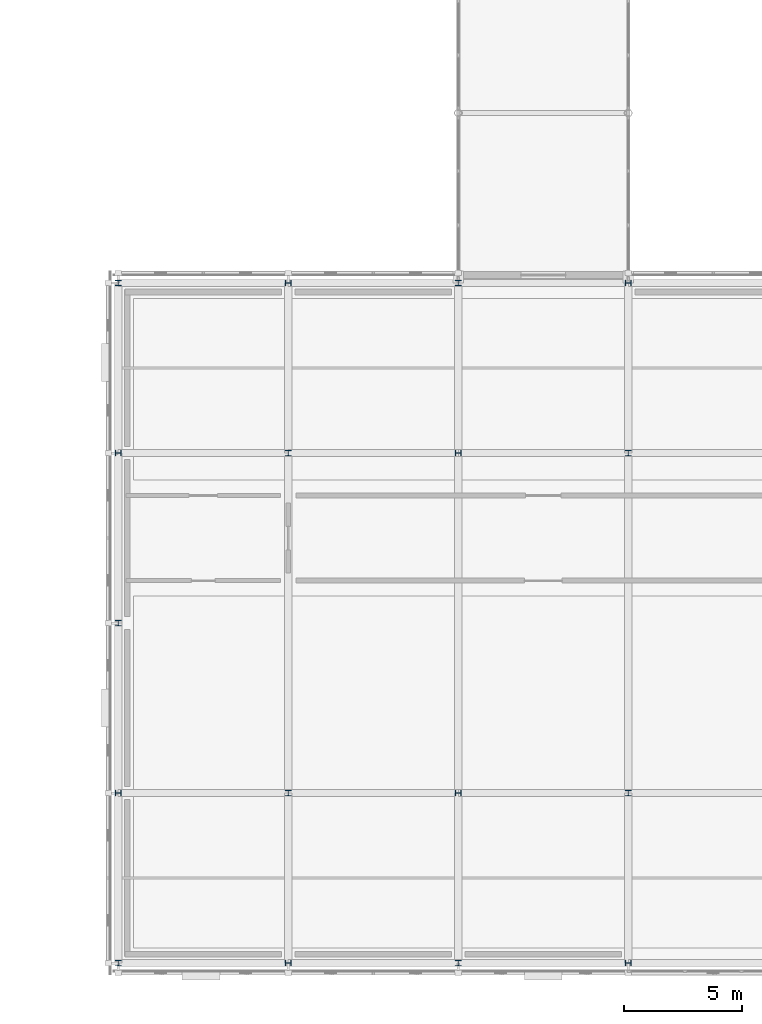
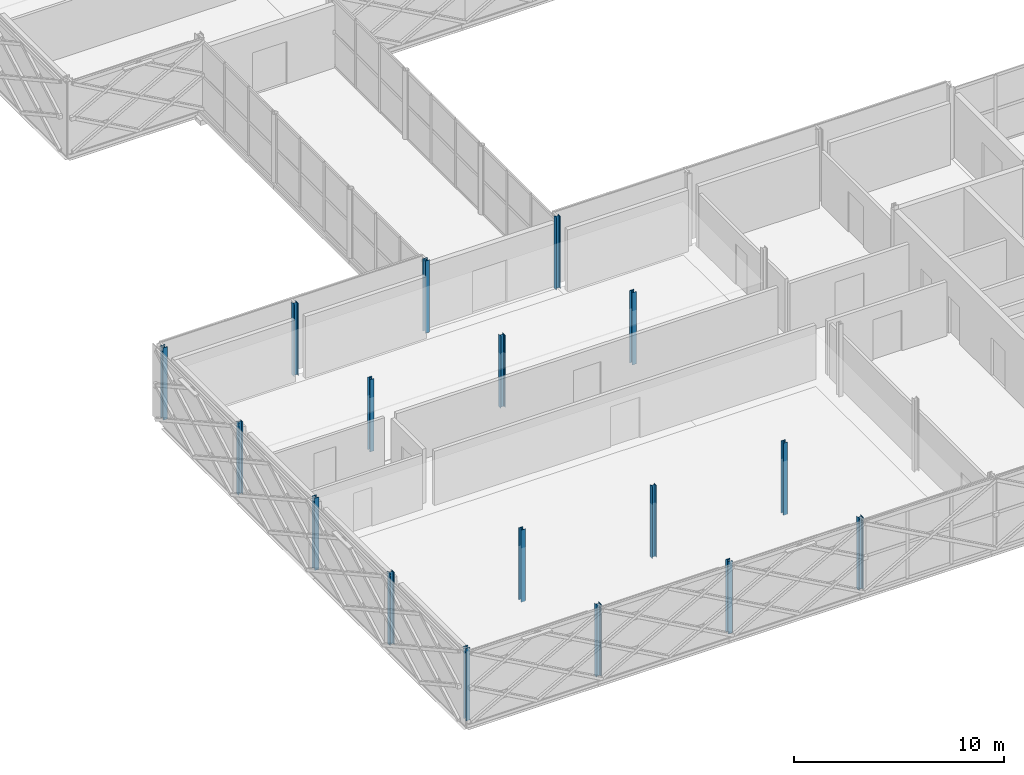
# One storey, part 1 of 126: 17 columns.
"""IFC4 building model written with IfcOpenShell, lengths in metres."""

from ifc_helpers import new_model, si_unit, direction, frame, origin, origin_2d, place, context, subcontext, project, spatial, i_section, extrude, material, material_profile, profile_set, type_object, element, save


model = new_model("IFC4")

# Units and contexts
model_context = context("Model", 3, precision=1e-05, world=origin(), true_north=direction((0.0, 1.0)))
body_context = subcontext(model_context, "Body", "Model", "MODEL_VIEW")
ifc_project = project(units=[si_unit("LENGTHUNIT", "METRE"), si_unit("AREAUNIT", "SQUARE_METRE"), si_unit("VOLUMEUNIT", "CUBIC_METRE"), si_unit("PLANEANGLEUNIT", "RADIAN"), si_unit("MASSUNIT", "GRAM", prefix="KILO")], contexts=[model_context])

# Site, building, storey
site_placement = place(None, origin())
site = spatial("IfcSite", under=ifc_project, at=site_placement, CompositionType="ELEMENT")
building_placement = place(site_placement, origin())
building = spatial("IfcBuilding", under=site, at=building_placement, Name="Zlatovets Crest Museum", CompositionType="ELEMENT")
storey_placement = place(building_placement, frame((0.0, 0.0, 8.699951171875)))
storey = spatial("IfcBuildingStorey", under=building, at=storey_placement, Name="L02", CompositionType="ELEMENT", Elevation=8.699951171875)

# Columns
ifc_material = material(Name="Structural steel S355J2", Category="steel")
ifc_material_profile = material_profile(ifc_material, i_section(OverallWidth=0.239990234375, OverallDepth=0.239990234375, WebThickness=0.010009765625, FlangeThickness=0.01708984375, FilletRadius=0.02099609375, at=origin_2d()), Name="HEB 240")
ifc_profile_set = profile_set([ifc_material_profile], Name="Structural steel S355J2")
column_type = type_object("IfcColumnType", Name="Col_C-18", PredefinedType="COLUMN", material=ifc_profile_set)
for number, where, z_axis, x_axis, name in (
    (1, (0.0, 0.0, 0.0), (0.0, 0.0, 1.0), (1.0, 0.0, 0.0), "V3 L02 Column (0.0, 0.0)"),
    (2, (0.0, 7.199951171875, 0.0), (0.0, 0.0, 1.0), (0.0, 1.0, 0.0), "V3 L02 Column (0.0, 7.2)"),
    (3, (0.0, 14.39990234375, 0.0), (0.0, 0.0, 1.0), (1.0, 0.0, 0.0), "V3 L02 Column (0.0, 14.4)"),
    (4, (0.0, 21.60009765625, 0.0), (0.0, 0.0, 1.0), (0.0, 1.0, 0.0), "V3 L02 Column (0.0, 21.6)"),
    (5, (0.0, 28.800048828125, 0.0), (0.0, 0.0, 1.0), (1.0, 0.0, 0.0), "V3 L02 Column (0.0, 28.8)"),
    (6, (7.199951171875, 0.0, 0.0), (0.0, 0.0, 1.0), (0.0, 1.0, 0.0), "V3 L02 Column (7.2, 0.0)"),
    (7, (7.199951171875, 7.199951171875, 0.0), (0.0, 0.0, 1.0), (1.0, 0.0, 0.0), "V3 L02 Column (7.2, 7.2)"),
    (8, (7.199951171875, 21.60009765625, 0.0), (0.0, 0.0, 1.0), (1.0, 0.0, 0.0), "V3 L02 Column (7.2, 21.6)"),
    (9, (7.199951171875, 28.800048828125, 0.0), (0.0, 0.0, 1.0), (0.0, 1.0, 0.0), "V3 L02 Column (7.2, 28.8)"),
    (10, (14.39990234375, 0.0, 0.0), (0.0, 0.0, 1.0), (1.0, 0.0, 0.0), "V3 L02 Column (14.4, 0.0)"),
    (11, (14.39990234375, 7.199951171875, 0.0), (0.0, 0.0, 1.0), (0.0, 1.0, 0.0), "V3 L02 Column (14.4, 7.2)"),
    (12, (14.39990234375, 21.60009765625, 0.0), (0.0, 0.0, 1.0), (0.0, 1.0, 0.0), "V3 L02 Column (14.4, 21.6)"),
    (13, (14.39990234375, 28.800048828125, 0.0), (0.0, 0.0, 1.0), (1.0, 0.0, 0.0), "V3 L02 Column (14.4, 28.8)"),
    (14, (21.60009765625, 0.0, 0.0), (0.0, 0.0, 1.0), (0.0, 1.0, 0.0), "V3 L02 Column (21.6, 0.0)"),
    (15, (21.60009765625, 7.199951171875, 0.0), (0.0, 0.0, 1.0), (1.0, 0.0, 0.0), "V3 L02 Column (21.6, 7.2)"),
    (16, (21.60009765625, 21.60009765625, 0.0), (0.0, 0.0, 1.0), (1.0, 0.0, 0.0), "V3 L02 Column (21.6, 21.6)"),
    (17, (21.60009765625, 28.800048828125, 0.0), (0.0, 0.0, 1.0), (0.0, 1.0, 0.0), "V3 L02 Column (21.6, 28.8)"),
):
    element("IfcColumn", number, at=place(storey_placement, frame(where, z_axis=z_axis, x_axis=x_axis)), inside=storey, type_object=column_type, Name=name, PredefinedType="COLUMN", context=body_context, shape_type="SweptSolid", body=[
        extrude(i_section(OverallWidth=0.239990234375, OverallDepth=0.239990234375, WebThickness=0.010009765625, FlangeThickness=0.01708984375, FilletRadius=0.02099609375, at=origin_2d()), origin(), (0.0, 0.0, 1.0), 4.199951171875),
    ])

save(model, "model.ifc")
